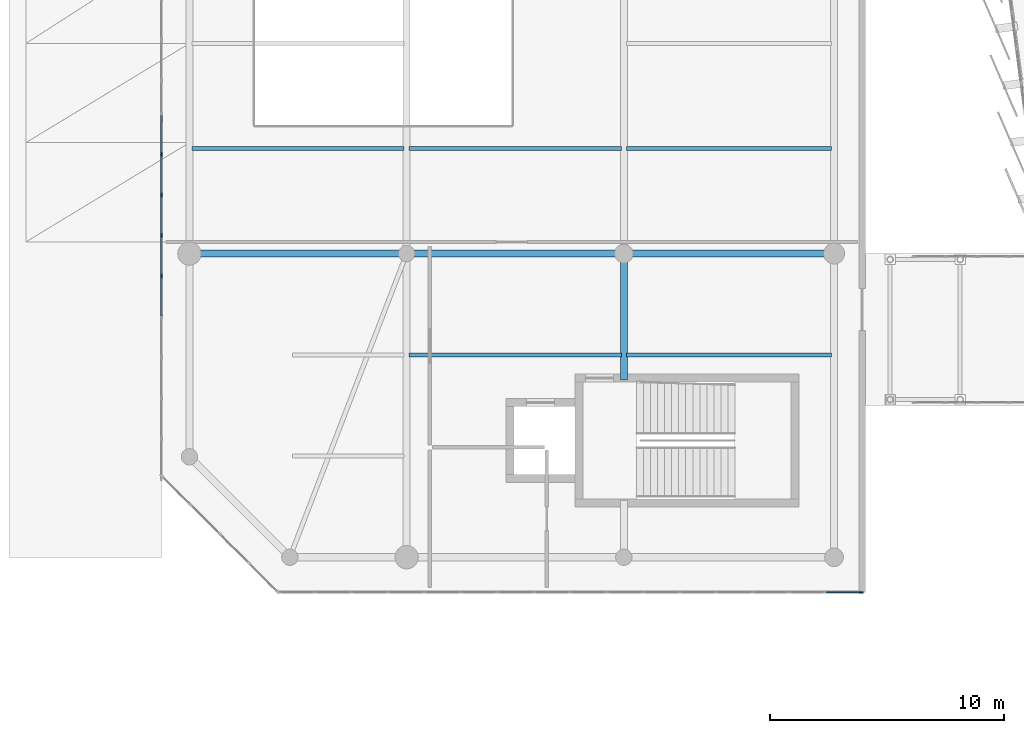
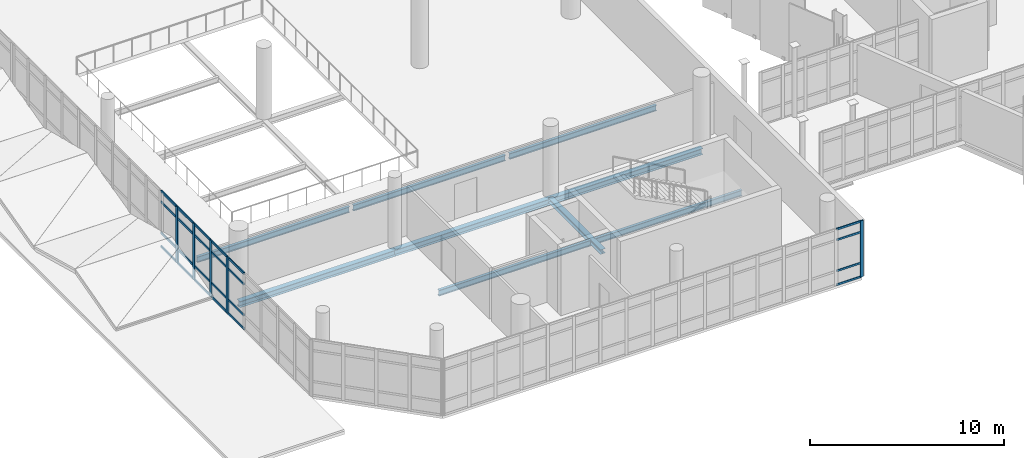
# One storey, part 27 of 134: 29 members, 9 beams, 2 elements without a shape of their own.
"""IFC4 building model written with IfcOpenShell, lengths in metres."""

from ifc_helpers import new_model, si_unit, direction, frame, origin, origin_2d, place, context, subcontext, project, spatial, rectangle, i_section, extrude, material, layer, layer_set, material_profile, profile_set, type_object, element, aggregate, save


model = new_model("IFC4")

# Units and contexts
model_context = context("Model", 3, precision=1e-05, world=origin(), true_north=direction((0.0, 1.0)))
body_context = subcontext(model_context, "Body", "Model", "MODEL_VIEW")
ifc_project = project(units=[si_unit("LENGTHUNIT", "METRE"), si_unit("AREAUNIT", "SQUARE_METRE"), si_unit("VOLUMEUNIT", "CUBIC_METRE"), si_unit("PLANEANGLEUNIT", "RADIAN"), si_unit("MASSUNIT", "GRAM", prefix="KILO")], contexts=[model_context])

# Site, building, storey
site_placement = place(None, origin())
site = spatial("IfcSite", under=ifc_project, at=site_placement, CompositionType="ELEMENT")
building_placement = place(site_placement, origin())
building = spatial("IfcBuilding", under=site, at=building_placement, Name="Sohan Crest Arena", CompositionType="ELEMENT")
storey_placement = place(building_placement, frame((0.0, 0.0, 4.5)))
storey = spatial("IfcBuildingStorey", under=building, at=storey_placement, Name="L01", CompositionType="ELEMENT", Elevation=4.5)

# Curtain wall, member
ifc_material_1 = material(Name="Thermally broken anodised aluminium", Category="aluminium")
ifc_layer_1 = layer(ifc_material_1, 0.199951171875, Name="Thermally broken anodised aluminium")
ifc_layer_set_1 = layer_set([ifc_layer_1], Name="Thermally broken anodised aluminium")
curtain_wall_type_1 = type_object("IfcCurtainWallType", Name="ARC-CW02", PredefinedType="NOTDEFINED", material=ifc_layer_set_1)
curtain_wall_1_placement = place(storey_placement, origin())
curtain_wall_1 = element("IfcCurtainWall", 1, at=curtain_wall_1_placement, inside=storey, type_object=curtain_wall_type_1, Name="Unitised curtain wall CW-206", PredefinedType="NOTDEFINED")
ifc_material_profile_1 = material_profile(ifc_material_1, rectangle(XDim=0.06494140625, YDim=0.179931640625, at=origin_2d()), Name="ALU-MULL 65x180")
ifc_profile_set_1 = profile_set([ifc_material_profile_1], Name="Thermally broken anodised aluminium")
member_type_1 = type_object("IfcMemberType", Name="ARC-CW-ML02", PredefinedType="MULLION", material=ifc_profile_set_1)
member_1_placement = place(storey_placement, frame((43.967529296875, 50.0, 0.0), z_axis=(0.0, 0.0, 1.0), x_axis=(0.0, 1.0, 0.0)))
member_1 = element("IfcMember", 2, at=member_1_placement, type_object=member_type_1, Name="CW-206 mullion 17", PredefinedType="MULLION", context=body_context, shape_type="SweptSolid", body=[
    extrude(rectangle(XDim=0.06494140625, YDim=0.179931640625, at=origin_2d()), origin(), (0.0, 0.0, 1.0), 3.550048828125),
])

# Curtain wall, members
ifc_layer_2 = layer(ifc_material_1, 0.219970703125, Name="Thermally broken anodised aluminium")
ifc_layer_set_2 = layer_set([ifc_layer_2], Name="Thermally broken anodised aluminium")
curtain_wall_type_2 = type_object("IfcCurtainWallType", Name="ARC-CW03", PredefinedType="NOTDEFINED", material=ifc_layer_set_2)
curtain_wall_2_placement = place(storey_placement, origin())
curtain_wall_2 = element("IfcCurtainWall", 3, at=curtain_wall_2_placement, inside=storey, type_object=curtain_wall_type_2, Name="Unitised curtain wall CW-211", PredefinedType="NOTDEFINED")
ifc_material_profile_2 = material_profile(ifc_material_1, rectangle(XDim=0.070068359375, YDim=0.199951171875, at=origin_2d()), Name="ALU-MULL 70x200")
ifc_profile_set_2 = profile_set([ifc_material_profile_2], Name="Thermally broken anodised aluminium")
member_type_2 = type_object("IfcMemberType", Name="ARC-CW-ML03", PredefinedType="MULLION", material=ifc_profile_set_2)
member_2_placement = place(storey_placement, frame((14.0, 68.74609375, 0.0), z_axis=(0.0, 0.0, 1.0), x_axis=(1.0, 0.0, 0.0)))
member_2 = element("IfcMember", 4, at=member_2_placement, type_object=member_type_2, Name="CW-211 mullion 2", PredefinedType="MULLION", context=body_context, shape_type="SweptSolid", body=[
    extrude(rectangle(XDim=0.070068359375, YDim=0.199951171875, at=origin_2d()), origin(), (0.0, 0.0, 1.0), 3.550048828125),
])
member_3_placement = place(storey_placement, frame((14.0, 67.009033203125, 0.0), z_axis=(0.0, 0.0, 1.0), x_axis=(1.0, 0.0, 0.0)))
member_3 = element("IfcMember", 5, at=member_3_placement, type_object=member_type_2, Name="CW-211 mullion 3", PredefinedType="MULLION", context=body_context, shape_type="SweptSolid", body=[
    extrude(rectangle(XDim=0.070068359375, YDim=0.199951171875, at=origin_2d()), origin(), (0.0, 0.0, 1.0), 3.550048828125),
])
member_4_placement = place(storey_placement, frame((14.0, 65.27197265625, 0.0), z_axis=(0.0, 0.0, 1.0), x_axis=(1.0, 0.0, 0.0)))
member_4 = element("IfcMember", 6, at=member_4_placement, type_object=member_type_2, Name="CW-211 mullion 4", PredefinedType="MULLION", context=body_context, shape_type="SweptSolid", body=[
    extrude(rectangle(XDim=0.070068359375, YDim=0.199951171875, at=origin_2d()), origin(), (0.0, 0.0, 1.0), 3.550048828125),
])
member_5_placement = place(storey_placement, frame((14.0, 63.534912109375, 0.0), z_axis=(0.0, 0.0, 1.0), x_axis=(1.0, 0.0, 0.0)))
member_5 = element("IfcMember", 7, at=member_5_placement, type_object=member_type_2, Name="CW-211 mullion 5", PredefinedType="MULLION", context=body_context, shape_type="SweptSolid", body=[
    extrude(rectangle(XDim=0.070068359375, YDim=0.199951171875, at=origin_2d()), origin(), (0.0, 0.0, 1.0), 3.550048828125),
])

# Member
ifc_material_profile_3 = material_profile(ifc_material_1, rectangle(XDim=0.06005859375, YDim=0.1201171875, at=origin_2d()), Name="ALU-TRAN 60x120")
ifc_profile_set_3 = profile_set([ifc_material_profile_3], Name="Thermally broken anodised aluminium")
member_type_3 = type_object("IfcMemberType", Name="ARC-CW-TR01", PredefinedType="USERDEFINED", material=ifc_profile_set_3)
member_6_placement = place(storey_placement, frame((42.469970703125, 50.0, 0.030029296875), z_axis=(1.0, 0.0, 0.0), x_axis=(0.0, 1.0, 0.0)))
member_6 = element("IfcMember", 8, at=member_6_placement, type_object=member_type_3, Name="CW-206 transom 16.1", ObjectType="TRANSOM", PredefinedType="USERDEFINED", context=body_context, shape_type="SweptSolid", body=[
    extrude(rectangle(XDim=0.06005859375, YDim=0.1201171875, at=origin_2d()), origin(), (0.0, 0.0, 1.0), 1.465087890625),
])

member_7_placement = place(storey_placement, frame((42.469970703125, 50.0, 0.89990234375), z_axis=(1.0, 0.0, 0.0), x_axis=(0.0, 1.0, 0.0)))
member_7 = element("IfcMember", 9, at=member_7_placement, type_object=member_type_3, Name="CW-206 transom 16.2", ObjectType="TRANSOM", PredefinedType="USERDEFINED", context=body_context, shape_type="SweptSolid", body=[
    extrude(rectangle(XDim=0.06005859375, YDim=0.1201171875, at=origin_2d()), origin(), (0.0, 0.0, 1.0), 1.465087890625),
])

member_8_placement = place(storey_placement, frame((42.469970703125, 50.0, 2.85009765625), z_axis=(1.0, 0.0, 0.0), x_axis=(0.0, 1.0, 0.0)))
member_8 = element("IfcMember", 10, at=member_8_placement, type_object=member_type_3, Name="CW-206 transom 16.3", ObjectType="TRANSOM", PredefinedType="USERDEFINED", context=body_context, shape_type="SweptSolid", body=[
    extrude(rectangle(XDim=0.06005859375, YDim=0.1201171875, at=origin_2d()), origin(), (0.0, 0.0, 1.0), 1.465087890625),
])

member_9_placement = place(storey_placement, frame((42.469970703125, 50.0, 3.52001953125), z_axis=(1.0, 0.0, 0.0), x_axis=(0.0, 1.0, 0.0)))
member_9 = element("IfcMember", 11, at=member_9_placement, type_object=member_type_3, Name="CW-206 transom 16.4", ObjectType="TRANSOM", PredefinedType="USERDEFINED", context=body_context, shape_type="SweptSolid", body=[
    extrude(rectangle(XDim=0.06005859375, YDim=0.1201171875, at=origin_2d()), origin(), (0.0, 0.0, 1.0), 1.465087890625),
])

aggregate(curtain_wall_1, [member_1, member_6, member_7, member_8, member_9])

ifc_material_profile_4 = material_profile(ifc_material_1, rectangle(XDim=0.06494140625, YDim=0.139892578125, at=origin_2d()), Name="ALU-TRAN 65x140")
ifc_profile_set_4 = profile_set([ifc_material_profile_4], Name="Thermally broken anodised aluminium")
member_type_4 = type_object("IfcMemberType", Name="ARC-CW-TR02", PredefinedType="USERDEFINED", material=ifc_profile_set_4)
member_10_placement = place(storey_placement, frame((14.0, 70.4130859375, 0.032470703125), z_axis=(0.0, -1.0, 0.0), x_axis=(1.0, 0.0, 0.0)))
member_10 = element("IfcMember", 12, at=member_10_placement, type_object=member_type_4, Name="CW-211 transom 1.1", ObjectType="TRANSOM", PredefinedType="USERDEFINED", context=body_context, shape_type="SweptSolid", body=[
    extrude(rectangle(XDim=0.06494140625, YDim=0.139892578125, at=origin_2d()), origin(), (0.0, 0.0, 1.0), 1.632080078125),
])

member_11_placement = place(storey_placement, frame((14.0, 70.4130859375, 0.89990234375), z_axis=(0.0, -1.0, 0.0), x_axis=(1.0, 0.0, 0.0)))
member_11 = element("IfcMember", 13, at=member_11_placement, type_object=member_type_4, Name="CW-211 transom 1.2", ObjectType="TRANSOM", PredefinedType="USERDEFINED", context=body_context, shape_type="SweptSolid", body=[
    extrude(rectangle(XDim=0.06494140625, YDim=0.139892578125, at=origin_2d()), origin(), (0.0, 0.0, 1.0), 1.632080078125),
])

member_12_placement = place(storey_placement, frame((14.0, 70.4130859375, 2.85009765625), z_axis=(0.0, -1.0, 0.0), x_axis=(1.0, 0.0, 0.0)))
member_12 = element("IfcMember", 14, at=member_12_placement, type_object=member_type_4, Name="CW-211 transom 1.3", ObjectType="TRANSOM", PredefinedType="USERDEFINED", context=body_context, shape_type="SweptSolid", body=[
    extrude(rectangle(XDim=0.06494140625, YDim=0.139892578125, at=origin_2d()), origin(), (0.0, 0.0, 1.0), 1.632080078125),
])

member_13_placement = place(storey_placement, frame((14.0, 70.4130859375, 3.517578125), z_axis=(0.0, -1.0, 0.0), x_axis=(1.0, 0.0, 0.0)))
member_13 = element("IfcMember", 15, at=member_13_placement, type_object=member_type_4, Name="CW-211 transom 1.4", ObjectType="TRANSOM", PredefinedType="USERDEFINED", context=body_context, shape_type="SweptSolid", body=[
    extrude(rectangle(XDim=0.06494140625, YDim=0.139892578125, at=origin_2d()), origin(), (0.0, 0.0, 1.0), 1.632080078125),
])

member_14_placement = place(storey_placement, frame((14.0, 68.7109375, 0.032470703125), z_axis=(0.0, -1.0, 0.0), x_axis=(1.0, 0.0, 0.0)))
member_14 = element("IfcMember", 16, at=member_14_placement, type_object=member_type_4, Name="CW-211 transom 2.1", ObjectType="TRANSOM", PredefinedType="USERDEFINED", context=body_context, shape_type="SweptSolid", body=[
    extrude(rectangle(XDim=0.06494140625, YDim=0.139892578125, at=origin_2d()), origin(), (0.0, 0.0, 1.0), 1.6669921875),
])

member_15_placement = place(storey_placement, frame((14.0, 68.7109375, 0.89990234375), z_axis=(0.0, -1.0, 0.0), x_axis=(1.0, 0.0, 0.0)))
member_15 = element("IfcMember", 17, at=member_15_placement, type_object=member_type_4, Name="CW-211 transom 2.2", ObjectType="TRANSOM", PredefinedType="USERDEFINED", context=body_context, shape_type="SweptSolid", body=[
    extrude(rectangle(XDim=0.06494140625, YDim=0.139892578125, at=origin_2d()), origin(), (0.0, 0.0, 1.0), 1.6669921875),
])

member_16_placement = place(storey_placement, frame((14.0, 68.7109375, 2.85009765625), z_axis=(0.0, -1.0, 0.0), x_axis=(1.0, 0.0, 0.0)))
member_16 = element("IfcMember", 18, at=member_16_placement, type_object=member_type_4, Name="CW-211 transom 2.3", ObjectType="TRANSOM", PredefinedType="USERDEFINED", context=body_context, shape_type="SweptSolid", body=[
    extrude(rectangle(XDim=0.06494140625, YDim=0.139892578125, at=origin_2d()), origin(), (0.0, 0.0, 1.0), 1.6669921875),
])

member_17_placement = place(storey_placement, frame((14.0, 68.7109375, 3.517578125), z_axis=(0.0, -1.0, 0.0), x_axis=(1.0, 0.0, 0.0)))
member_17 = element("IfcMember", 19, at=member_17_placement, type_object=member_type_4, Name="CW-211 transom 2.4", ObjectType="TRANSOM", PredefinedType="USERDEFINED", context=body_context, shape_type="SweptSolid", body=[
    extrude(rectangle(XDim=0.06494140625, YDim=0.139892578125, at=origin_2d()), origin(), (0.0, 0.0, 1.0), 1.6669921875),
])

member_18_placement = place(storey_placement, frame((14.0, 66.97412109375, 0.032470703125), z_axis=(0.0, -1.0, 0.0), x_axis=(1.0, 0.0, 0.0)))
member_18 = element("IfcMember", 20, at=member_18_placement, type_object=member_type_4, Name="CW-211 transom 3.1", ObjectType="TRANSOM", PredefinedType="USERDEFINED", context=body_context, shape_type="SweptSolid", body=[
    extrude(rectangle(XDim=0.06494140625, YDim=0.139892578125, at=origin_2d()), origin(), (0.0, 0.0, 1.0), 1.667236328125),
])

member_19_placement = place(storey_placement, frame((14.0, 66.97412109375, 0.89990234375), z_axis=(0.0, -1.0, 0.0), x_axis=(1.0, 0.0, 0.0)))
member_19 = element("IfcMember", 21, at=member_19_placement, type_object=member_type_4, Name="CW-211 transom 3.2", ObjectType="TRANSOM", PredefinedType="USERDEFINED", context=body_context, shape_type="SweptSolid", body=[
    extrude(rectangle(XDim=0.06494140625, YDim=0.139892578125, at=origin_2d()), origin(), (0.0, 0.0, 1.0), 1.667236328125),
])

member_20_placement = place(storey_placement, frame((14.0, 66.97412109375, 2.85009765625), z_axis=(0.0, -1.0, 0.0), x_axis=(1.0, 0.0, 0.0)))
member_20 = element("IfcMember", 22, at=member_20_placement, type_object=member_type_4, Name="CW-211 transom 3.3", ObjectType="TRANSOM", PredefinedType="USERDEFINED", context=body_context, shape_type="SweptSolid", body=[
    extrude(rectangle(XDim=0.06494140625, YDim=0.139892578125, at=origin_2d()), origin(), (0.0, 0.0, 1.0), 1.667236328125),
])

member_21_placement = place(storey_placement, frame((14.0, 66.97412109375, 3.517578125), z_axis=(0.0, -1.0, 0.0), x_axis=(1.0, 0.0, 0.0)))
member_21 = element("IfcMember", 23, at=member_21_placement, type_object=member_type_4, Name="CW-211 transom 3.4", ObjectType="TRANSOM", PredefinedType="USERDEFINED", context=body_context, shape_type="SweptSolid", body=[
    extrude(rectangle(XDim=0.06494140625, YDim=0.139892578125, at=origin_2d()), origin(), (0.0, 0.0, 1.0), 1.667236328125),
])

member_22_placement = place(storey_placement, frame((14.0, 65.237060546875, 0.032470703125), z_axis=(0.0, -1.0, 0.0), x_axis=(1.0, 0.0, 0.0)))
member_22 = element("IfcMember", 24, at=member_22_placement, type_object=member_type_4, Name="CW-211 transom 4.1", ObjectType="TRANSOM", PredefinedType="USERDEFINED", context=body_context, shape_type="SweptSolid", body=[
    extrude(rectangle(XDim=0.06494140625, YDim=0.139892578125, at=origin_2d()), origin(), (0.0, 0.0, 1.0), 1.6669921875),
])

member_23_placement = place(storey_placement, frame((14.0, 65.237060546875, 0.89990234375), z_axis=(0.0, -1.0, 0.0), x_axis=(1.0, 0.0, 0.0)))
member_23 = element("IfcMember", 25, at=member_23_placement, type_object=member_type_4, Name="CW-211 transom 4.2", ObjectType="TRANSOM", PredefinedType="USERDEFINED", context=body_context, shape_type="SweptSolid", body=[
    extrude(rectangle(XDim=0.06494140625, YDim=0.139892578125, at=origin_2d()), origin(), (0.0, 0.0, 1.0), 1.6669921875),
])

member_24_placement = place(storey_placement, frame((14.0, 65.237060546875, 2.85009765625), z_axis=(0.0, -1.0, 0.0), x_axis=(1.0, 0.0, 0.0)))
member_24 = element("IfcMember", 26, at=member_24_placement, type_object=member_type_4, Name="CW-211 transom 4.3", ObjectType="TRANSOM", PredefinedType="USERDEFINED", context=body_context, shape_type="SweptSolid", body=[
    extrude(rectangle(XDim=0.06494140625, YDim=0.139892578125, at=origin_2d()), origin(), (0.0, 0.0, 1.0), 1.6669921875),
])

member_25_placement = place(storey_placement, frame((14.0, 65.237060546875, 3.517578125), z_axis=(0.0, -1.0, 0.0), x_axis=(1.0, 0.0, 0.0)))
member_25 = element("IfcMember", 27, at=member_25_placement, type_object=member_type_4, Name="CW-211 transom 4.4", ObjectType="TRANSOM", PredefinedType="USERDEFINED", context=body_context, shape_type="SweptSolid", body=[
    extrude(rectangle(XDim=0.06494140625, YDim=0.139892578125, at=origin_2d()), origin(), (0.0, 0.0, 1.0), 1.6669921875),
])

member_26_placement = place(storey_placement, frame((14.0, 63.5, 0.032470703125), z_axis=(0.0, -1.0, 0.0), x_axis=(1.0, 0.0, 0.0)))
member_26 = element("IfcMember", 28, at=member_26_placement, type_object=member_type_4, Name="CW-211 transom 5.1", ObjectType="TRANSOM", PredefinedType="USERDEFINED", context=body_context, shape_type="SweptSolid", body=[
    extrude(rectangle(XDim=0.06494140625, YDim=0.139892578125, at=origin_2d()), origin(), (0.0, 0.0, 1.0), 1.6669921875),
])

member_27_placement = place(storey_placement, frame((14.0, 63.5, 0.89990234375), z_axis=(0.0, -1.0, 0.0), x_axis=(1.0, 0.0, 0.0)))
member_27 = element("IfcMember", 29, at=member_27_placement, type_object=member_type_4, Name="CW-211 transom 5.2", ObjectType="TRANSOM", PredefinedType="USERDEFINED", context=body_context, shape_type="SweptSolid", body=[
    extrude(rectangle(XDim=0.06494140625, YDim=0.139892578125, at=origin_2d()), origin(), (0.0, 0.0, 1.0), 1.6669921875),
])

member_28_placement = place(storey_placement, frame((14.0, 63.5, 2.85009765625), z_axis=(0.0, -1.0, 0.0), x_axis=(1.0, 0.0, 0.0)))
member_28 = element("IfcMember", 30, at=member_28_placement, type_object=member_type_4, Name="CW-211 transom 5.3", ObjectType="TRANSOM", PredefinedType="USERDEFINED", context=body_context, shape_type="SweptSolid", body=[
    extrude(rectangle(XDim=0.06494140625, YDim=0.139892578125, at=origin_2d()), origin(), (0.0, 0.0, 1.0), 1.6669921875),
])

member_29_placement = place(storey_placement, frame((14.0, 63.5, 3.517578125), z_axis=(0.0, -1.0, 0.0), x_axis=(1.0, 0.0, 0.0)))
member_29 = element("IfcMember", 31, at=member_29_placement, type_object=member_type_4, Name="CW-211 transom 5.4", ObjectType="TRANSOM", PredefinedType="USERDEFINED", context=body_context, shape_type="SweptSolid", body=[
    extrude(rectangle(XDim=0.06494140625, YDim=0.139892578125, at=origin_2d()), origin(), (0.0, 0.0, 1.0), 1.6669921875),
])

aggregate(curtain_wall_2, [member_2, member_3, member_4, member_5, member_10, member_11, member_12, member_13, member_14, member_15, member_16, member_17, member_18, member_19, member_20, member_21, member_22, member_23, member_24, member_25, member_26, member_27, member_28, member_29])

# Beams
ifc_material_2 = material(Name="Steel S355", Category="steel")
ifc_material_profile_5 = material_profile(ifc_material_2, i_section(OverallWidth=0.169921875, OverallDepth=0.360107421875, WebThickness=0.008056640625, FlangeThickness=0.0126953125, at=origin_2d()), Name="IPE 360")
ifc_profile_set_5 = profile_set([ifc_material_profile_5], Name="Steel S355")
beam_type_1 = type_object("IfcBeamType", Name="STR-BM-B02", PredefinedType="JOIST", material=ifc_profile_set_5)
beam_1_placement = place(storey_placement, frame((24.610107421875, 60.1669921875, -0.389892578125), z_axis=(1.0, 0.0, 0.0), x_axis=(0.0, 1.0, 0.0)))
element("IfcBeam", 32, at=beam_1_placement, inside=storey, type_object=beam_type_1, Name="Structural beam J-L01-2001", PredefinedType="JOIST", context=body_context, shape_type="SweptSolid", body=[
    extrude(i_section(OverallWidth=0.169921875, OverallDepth=0.360107421875, WebThickness=0.008056640625, FlangeThickness=0.0126953125, at=origin_2d()), origin(), (0.0, 0.0, 1.0), 9.079833984375),
])
beam_2_placement = place(storey_placement, frame((33.909912109375, 60.1669921875, -0.389892578125), z_axis=(1.0, 0.0, 0.0), x_axis=(0.0, 1.0, 0.0)))
element("IfcBeam", 33, at=beam_2_placement, inside=storey, type_object=beam_type_1, Name="Structural beam J-L01-2003", PredefinedType="JOIST", context=body_context, shape_type="SweptSolid", body=[
    extrude(i_section(OverallWidth=0.169921875, OverallDepth=0.360107421875, WebThickness=0.008056640625, FlangeThickness=0.0126953125, at=origin_2d()), origin(), (0.0, 0.0, 1.0), 8.780029296875),
])
for number, where, z_axis, x_axis, name in (
    (34, (15.31005859375, 69.0, -0.389892578125), (1.0, 0.0, 0.0), (0.0, 1.0, 0.0), "Structural beam J-L01-2005"),
    (35, (24.610107421875, 69.0, -0.389892578125), (1.0, 0.0, 0.0), (0.0, 1.0, 0.0), "Structural beam J-L01-2008"),
):
    element("IfcBeam", number, at=place(storey_placement, frame(where, z_axis=z_axis, x_axis=x_axis)), inside=storey, type_object=beam_type_1, Name=name, PredefinedType="JOIST", context=body_context, shape_type="SweptSolid", body=[
        extrude(i_section(OverallWidth=0.169921875, OverallDepth=0.360107421875, WebThickness=0.008056640625, FlangeThickness=0.0126953125, at=origin_2d()), origin(), (0.0, 0.0, 1.0), 9.079833984375),
    ])
beam_3_placement = place(storey_placement, frame((33.909912109375, 69.0, -0.389892578125), z_axis=(1.0, 0.0, 0.0), x_axis=(0.0, 1.0, 0.0)))
element("IfcBeam", 36, at=beam_3_placement, inside=storey, type_object=beam_type_1, Name="Structural beam J-L01-2010", PredefinedType="JOIST", context=body_context, shape_type="SweptSolid", body=[
    extrude(i_section(OverallWidth=0.169921875, OverallDepth=0.360107421875, WebThickness=0.008056640625, FlangeThickness=0.0126953125, at=origin_2d()), origin(), (0.0, 0.0, 1.0), 8.780029296875),
])
ifc_material_profile_6 = material_profile(ifc_material_2, i_section(OverallWidth=0.300048828125, OverallDepth=0.2900390625, WebThickness=0.008544921875, FlangeThickness=0.013916015625, at=origin_2d()), Name="HEA 300")
ifc_profile_set_6 = profile_set([ifc_material_profile_6], Name="Steel S355")
beam_type_2 = type_object("IfcBeamType", Name="STR-BM-B08", PredefinedType="BEAM", material=ifc_profile_set_6)
beam_4_placement = place(storey_placement, frame((33.800048828125, 59.080078125, -0.35498046875), z_axis=(0.0, 1.0, 0.0), x_axis=(-1.0, 0.0, 0.0)))
element("IfcBeam", 37, at=beam_4_placement, inside=storey, type_object=beam_type_2, Name="Structural beam G-L01-1988", PredefinedType="BEAM", context=body_context, shape_type="SweptSolid", body=[
    extrude(i_section(OverallWidth=0.300048828125, OverallDepth=0.2900390625, WebThickness=0.008544921875, FlangeThickness=0.013916015625, at=origin_2d()), origin(), (0.0, 0.0, 1.0), 5.419921875),
])
ifc_material_profile_7 = material_profile(ifc_material_2, i_section(OverallWidth=0.300048828125, OverallDepth=0.389892578125, WebThickness=0.010986328125, FlangeThickness=0.01904296875, at=origin_2d()), Name="HEA 400")
ifc_profile_set_7 = profile_set([ifc_material_profile_7], Name="Steel S355")
beam_type_3 = type_object("IfcBeamType", Name="STR-BM-B09", PredefinedType="BEAM", material=ifc_profile_set_7)
for number, where, z_axis, x_axis, name in (
    (38, (15.199951171875, 64.5, -0.405029296875), (1.0, 0.0, 0.0), (0.0, 1.0, 0.0), "Structural beam G-L01-2004"),
    (39, (24.5, 64.5, -0.405029296875), (1.0, 0.0, 0.0), (0.0, 1.0, 0.0), "Structural beam G-L01-2007"),
):
    element("IfcBeam", number, at=place(storey_placement, frame(where, z_axis=z_axis, x_axis=x_axis)), inside=storey, type_object=beam_type_3, Name=name, PredefinedType="BEAM", context=body_context, shape_type="SweptSolid", body=[
        extrude(i_section(OverallWidth=0.300048828125, OverallDepth=0.389892578125, WebThickness=0.010986328125, FlangeThickness=0.01904296875, at=origin_2d()), origin(), (0.0, 0.0, 1.0), 9.300048828125),
    ])
beam_5_placement = place(storey_placement, frame((33.800048828125, 64.5, -0.405029296875), z_axis=(1.0, 0.0, 0.0), x_axis=(0.0, 1.0, 0.0)))
element("IfcBeam", 40, at=beam_5_placement, inside=storey, type_object=beam_type_3, Name="Structural beam G-L01-2009", PredefinedType="BEAM", context=body_context, shape_type="SweptSolid", body=[
    extrude(i_section(OverallWidth=0.300048828125, OverallDepth=0.389892578125, WebThickness=0.010986328125, FlangeThickness=0.01904296875, at=origin_2d()), origin(), (0.0, 0.0, 1.0), 9.0),
])

save(model, "model.ifc")
